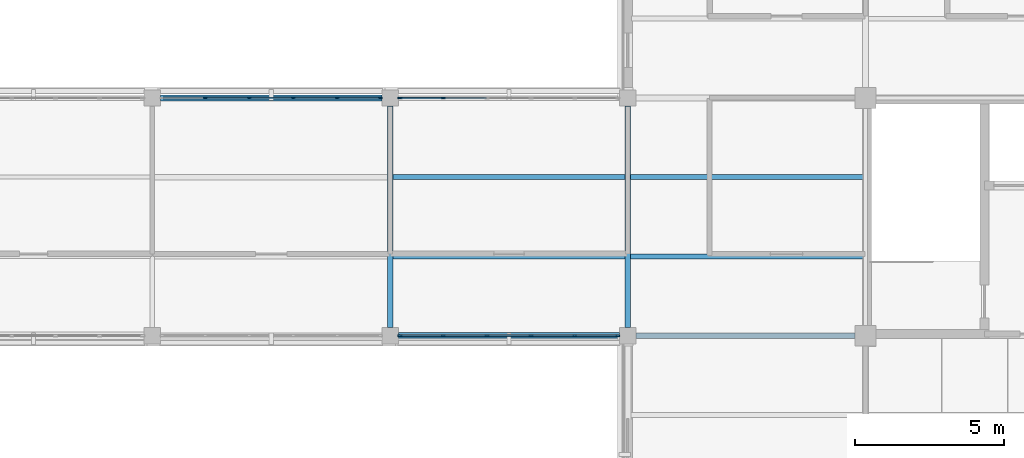
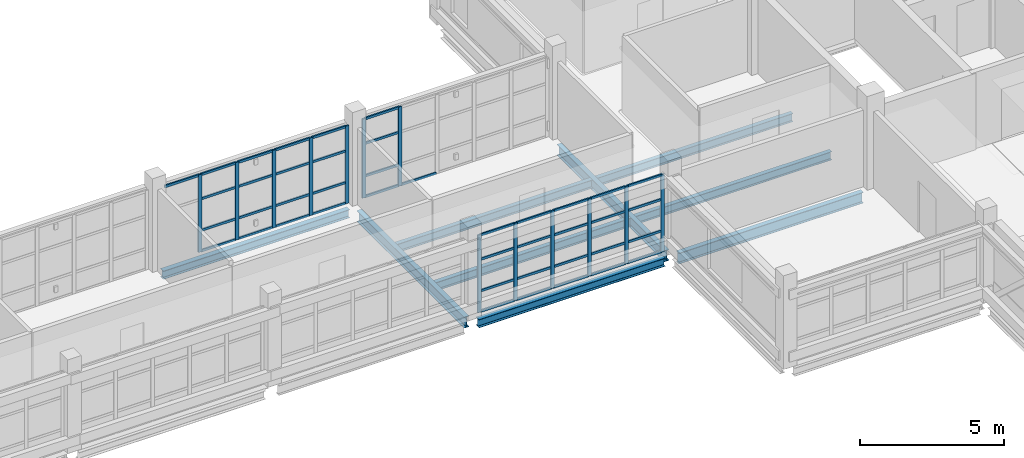
# One storey, part 12 of 92: 55 members, 9 beams, 3 elements without a shape of their own.
"""IFC4 building model written with IfcOpenShell, lengths in metres."""

from ifc_helpers import new_model, si_unit, derived_unit, direction, frame, origin, origin_2d, place, context, subcontext, project, spatial, rectangle, i_section, extrude, material, layer, layer_set, material_profile, profile_set, type_object, element, aggregate, save


model = new_model("IFC4")

# Units and contexts
model_context = context("Model", 3, precision=1e-05, world=origin(), true_north=direction((0.0, 1.0)))
body_context = subcontext(model_context, "Body", "Model", "MODEL_VIEW")
ifc_project = project(units=[si_unit("LENGTHUNIT", "METRE"), si_unit("AREAUNIT", "SQUARE_METRE"), si_unit("VOLUMEUNIT", "CUBIC_METRE"), si_unit("PLANEANGLEUNIT", "RADIAN"), si_unit("MASSUNIT", "GRAM", prefix="KILO"), derived_unit("THERMALTRANSMITTANCEUNIT", [(si_unit("MASSUNIT", "GRAM", prefix="KILO"), 1), (si_unit("TIMEUNIT", "SECOND"), -3), (si_unit("THERMODYNAMICTEMPERATUREUNIT", "KELVIN"), -1)])], contexts=[model_context])

# Site, building, storey
site_placement = place(None, origin())
site = spatial("IfcSite", under=ifc_project, at=site_placement, CompositionType="ELEMENT")
building_placement = place(site_placement, origin())
building = spatial("IfcBuilding", under=site, at=building_placement, Name="Veyamyaing Civic Hall", CompositionType="ELEMENT")
storey_placement = place(building_placement, frame((0.0, 0.0, 17.820068359375)))
storey = spatial("IfcBuildingStorey", under=building, at=storey_placement, Name="L04", CompositionType="ELEMENT", Elevation=17.820068359375)

# Beams
ifc_material_1 = material(Name="Steel ASTM A992", Category="steel")
ifc_material_profile_1 = material_profile(ifc_material_1, i_section(OverallWidth=0.19189453125, OverallDepth=0.462890625, WebThickness=0.010498046875, FlangeThickness=0.017578125, FilletRadius=0.010009765625, at=origin_2d()), Name="W460X89")
ifc_profile_set_1 = profile_set([ifc_material_profile_1], Name="Steel ASTM A992")
beam_type_1 = type_object("IfcBeamType", Name="B-08", PredefinedType="BEAM", material=ifc_profile_set_1)
beam_1_placement = place(storey_placement, frame((48.0, 48.27490234375, -0.466552734375), z_axis=(0.0, 1.0, 0.0), x_axis=(-1.0, 0.0, 0.0)))
element("IfcBeam", 1, at=beam_1_placement, inside=storey, type_object=beam_type_1, Name="Girder B-08 L04 Grid 7 G-H", PredefinedType="BEAM", context=body_context, shape_type="SweptSolid", body=[
    extrude(i_section(OverallWidth=0.19189453125, OverallDepth=0.462890625, WebThickness=0.010498046875, FlangeThickness=0.017578125, FilletRadius=0.010009765625, at=origin_2d()), origin(), (0.0, 0.0, 1.0), 7.4501953125),
])
ifc_material_profile_2 = material_profile(ifc_material_1, i_section(OverallWidth=0.18994140625, OverallDepth=0.45703125, WebThickness=0.009033203125, FlangeThickness=0.014404296875, FilletRadius=0.010009765625, at=origin_2d()), Name="W460X74")
ifc_profile_set_2 = profile_set([ifc_material_profile_2], Name="Steel ASTM A992")
beam_type_2 = type_object("IfcBeamType", Name="B-09", PredefinedType="BEAM", material=ifc_profile_set_2)
beam_2_placement = place(storey_placement, frame((56.27490234375, 48.0, -0.463623046875), z_axis=(1.0, 0.0, 0.0), x_axis=(0.0, 1.0, 0.0)))
element("IfcBeam", 2, at=beam_2_placement, inside=storey, type_object=beam_type_2, Name="Girder B-09 L04 Grid G 8-9", PredefinedType="BEAM", context=body_context, shape_type="SweptSolid", body=[
    extrude(i_section(OverallWidth=0.18994140625, OverallDepth=0.45703125, WebThickness=0.009033203125, FlangeThickness=0.014404296875, FilletRadius=0.010009765625, at=origin_2d()), origin(), (0.0, 0.0, 1.0), 7.375),
])
beam_3_placement = place(storey_placement, frame((56.0, 48.27490234375, -0.463623046875), z_axis=(0.0, 1.0, 0.0), x_axis=(-1.0, 0.0, 0.0)))
element("IfcBeam", 3, at=beam_3_placement, inside=storey, type_object=beam_type_2, Name="Girder B-09 L04 Grid 8 G-H", PredefinedType="BEAM", context=body_context, shape_type="SweptSolid", body=[
    extrude(i_section(OverallWidth=0.18994140625, OverallDepth=0.45703125, WebThickness=0.009033203125, FlangeThickness=0.014404296875, FilletRadius=0.010009765625, at=origin_2d()), origin(), (0.0, 0.0, 1.0), 7.4501953125),
])
ifc_material_profile_3 = material_profile(ifc_material_1, i_section(OverallWidth=0.2041015625, OverallDepth=0.35009765625, WebThickness=0.0078125, FlangeThickness=0.01513671875, FilletRadius=0.010009765625, at=origin_2d()), Name="W360X72")
ifc_profile_set_3 = profile_set([ifc_material_profile_3], Name="Steel ASTM A992")
beam_type_3 = type_object("IfcBeamType", Name="B-11", PredefinedType="SPANDREL", material=ifc_profile_set_3)
for number, where, z_axis, x_axis, name in (
    (4, (48.27490234375, 48.0, -0.41015625), (1.0, 0.0, 0.0), (0.0, 1.0, 0.0), "Girder B-11 L04 Grid G 7-8"),
    (5, (40.27490234375, 56.0, -0.41015625), (1.0, 0.0, 0.0), (0.0, 1.0, 0.0), "Girder B-11 L04 Grid H 6-7"),
):
    element("IfcBeam", number, at=place(storey_placement, frame(where, z_axis=z_axis, x_axis=x_axis)), inside=storey, type_object=beam_type_3, Name=name, PredefinedType="SPANDREL", context=body_context, shape_type="SweptSolid", body=[
        extrude(i_section(OverallWidth=0.2041015625, OverallDepth=0.35009765625, WebThickness=0.0078125, FlangeThickness=0.01513671875, FilletRadius=0.010009765625, at=origin_2d()), origin(), (0.0, 0.0, 1.0), 7.4501953125),
    ])

# Curtain wall, members
ifc_material_2 = material(Name="Anodised aluminium 6063-T6", Category="aluminium")
ifc_layer = layer(ifc_material_2, 0.139892578125, Name="Anodised aluminium 6063-T6")
ifc_layer_set = layer_set([ifc_layer], Name="Anodised aluminium 6063-T6")
curtain_wall_type = type_object("IfcCurtainWallType", Name="CW-04", PredefinedType="NOTDEFINED", material=ifc_layer_set)
curtain_wall_1_placement = place(storey_placement, origin())
curtain_wall_1 = element("IfcCurtainWall", 6, at=curtain_wall_1_placement, inside=storey, type_object=curtain_wall_type, Name="Unitized curtain wall CW-04 L04 N 6.7", PredefinedType="NOTDEFINED")
ifc_material_profile_4 = material_profile(ifc_material_2, rectangle(XDim=0.06005859375, YDim=0.139892578125, at=origin_2d()), Name="ALU-MUL-60X140")
ifc_profile_set_4 = profile_set([ifc_material_profile_4], Name="Anodised aluminium 6063-T6")
member_type_1 = type_object("IfcMemberType", Name="CWM-03", PredefinedType="MULLION", material=ifc_profile_set_4)
member_1_placement = place(storey_placement, frame((41.782958984375, 56.0, 0.0), z_axis=(0.0, 0.0, 1.0), x_axis=(0.0, 1.0, 0.0)))
member_1 = element("IfcMember", 7, at=member_1_placement, type_object=member_type_1, Name="CW-04 mullion 2", PredefinedType="MULLION", context=body_context, shape_type="SweptSolid", body=[
    extrude(rectangle(XDim=0.06005859375, YDim=0.139892578125, at=origin_2d()), origin(), (0.0, 0.0, 1.0), 3.284912109375),
])
member_2_placement = place(storey_placement, frame((43.260986328125, 56.0, 0.0), z_axis=(0.0, 0.0, 1.0), x_axis=(0.0, 1.0, 0.0)))
member_2 = element("IfcMember", 8, at=member_2_placement, type_object=member_type_1, Name="CW-04 mullion 3", PredefinedType="MULLION", context=body_context, shape_type="SweptSolid", body=[
    extrude(rectangle(XDim=0.06005859375, YDim=0.139892578125, at=origin_2d()), origin(), (0.0, 0.0, 1.0), 3.284912109375),
])
member_3_placement = place(storey_placement, frame((44.739013671875, 56.0, 0.0), z_axis=(0.0, 0.0, 1.0), x_axis=(0.0, 1.0, 0.0)))
member_3 = element("IfcMember", 9, at=member_3_placement, type_object=member_type_1, Name="CW-04 mullion 4", PredefinedType="MULLION", context=body_context, shape_type="SweptSolid", body=[
    extrude(rectangle(XDim=0.06005859375, YDim=0.139892578125, at=origin_2d()), origin(), (0.0, 0.0, 1.0), 3.284912109375),
])
member_4_placement = place(storey_placement, frame((46.217041015625, 56.0, 0.0), z_axis=(0.0, 0.0, 1.0), x_axis=(0.0, 1.0, 0.0)))
member_4 = element("IfcMember", 10, at=member_4_placement, type_object=member_type_1, Name="CW-04 mullion 5", PredefinedType="MULLION", context=body_context, shape_type="SweptSolid", body=[
    extrude(rectangle(XDim=0.06005859375, YDim=0.139892578125, at=origin_2d()), origin(), (0.0, 0.0, 1.0), 3.284912109375),
])
member_5_placement = place(storey_placement, frame((47.6650390625, 56.0, 0.0), z_axis=(0.0, 0.0, 1.0), x_axis=(0.0, 1.0, 0.0)))
member_5 = element("IfcMember", 11, at=member_5_placement, type_object=member_type_1, Name="CW-04 mullion 6", PredefinedType="MULLION", context=body_context, shape_type="SweptSolid", body=[
    extrude(rectangle(XDim=0.06005859375, YDim=0.139892578125, at=origin_2d()), origin(), (0.0, 0.0, 1.0), 3.284912109375),
])

curtain_wall_2_placement = place(storey_placement, origin())
curtain_wall_2 = element("IfcCurtainWall", 12, at=curtain_wall_2_placement, inside=storey, type_object=curtain_wall_type, Name="Unitized curtain wall CW-04 L04 S 7.7", PredefinedType="NOTDEFINED")
member_6_placement = place(storey_placement, frame((48.3349609375, 48.0, 0.0), z_axis=(0.0, 0.0, 1.0), x_axis=(0.0, 1.0, 0.0)))
member_6 = element("IfcMember", 13, at=member_6_placement, type_object=member_type_1, Name="CW-04 mullion 1", PredefinedType="MULLION", context=body_context, shape_type="SweptSolid", body=[
    extrude(rectangle(XDim=0.06005859375, YDim=0.139892578125, at=origin_2d()), origin(), (0.0, 0.0, 1.0), 3.284912109375),
])
member_7_placement = place(storey_placement, frame((49.782958984375, 48.0, 0.0), z_axis=(0.0, 0.0, 1.0), x_axis=(0.0, 1.0, 0.0)))
member_7 = element("IfcMember", 14, at=member_7_placement, type_object=member_type_1, Name="CW-04 mullion 2", PredefinedType="MULLION", context=body_context, shape_type="SweptSolid", body=[
    extrude(rectangle(XDim=0.06005859375, YDim=0.139892578125, at=origin_2d()), origin(), (0.0, 0.0, 1.0), 3.284912109375),
])
member_8_placement = place(storey_placement, frame((51.260986328125, 48.0, 0.0), z_axis=(0.0, 0.0, 1.0), x_axis=(0.0, 1.0, 0.0)))
member_8 = element("IfcMember", 15, at=member_8_placement, type_object=member_type_1, Name="CW-04 mullion 3", PredefinedType="MULLION", context=body_context, shape_type="SweptSolid", body=[
    extrude(rectangle(XDim=0.06005859375, YDim=0.139892578125, at=origin_2d()), origin(), (0.0, 0.0, 1.0), 3.284912109375),
])
member_9_placement = place(storey_placement, frame((52.739013671875, 48.0, 0.0), z_axis=(0.0, 0.0, 1.0), x_axis=(0.0, 1.0, 0.0)))
member_9 = element("IfcMember", 16, at=member_9_placement, type_object=member_type_1, Name="CW-04 mullion 4", PredefinedType="MULLION", context=body_context, shape_type="SweptSolid", body=[
    extrude(rectangle(XDim=0.06005859375, YDim=0.139892578125, at=origin_2d()), origin(), (0.0, 0.0, 1.0), 3.284912109375),
])
member_10_placement = place(storey_placement, frame((54.217041015625, 48.0, 0.0), z_axis=(0.0, 0.0, 1.0), x_axis=(0.0, 1.0, 0.0)))
member_10 = element("IfcMember", 17, at=member_10_placement, type_object=member_type_1, Name="CW-04 mullion 5", PredefinedType="MULLION", context=body_context, shape_type="SweptSolid", body=[
    extrude(rectangle(XDim=0.06005859375, YDim=0.139892578125, at=origin_2d()), origin(), (0.0, 0.0, 1.0), 3.284912109375),
])
member_11_placement = place(storey_placement, frame((55.6650390625, 48.0, 0.0), z_axis=(0.0, 0.0, 1.0), x_axis=(0.0, 1.0, 0.0)))
member_11 = element("IfcMember", 18, at=member_11_placement, type_object=member_type_1, Name="CW-04 mullion 6", PredefinedType="MULLION", context=body_context, shape_type="SweptSolid", body=[
    extrude(rectangle(XDim=0.06005859375, YDim=0.139892578125, at=origin_2d()), origin(), (0.0, 0.0, 1.0), 3.284912109375),
])

curtain_wall_3_placement = place(storey_placement, origin())
curtain_wall_3 = element("IfcCurtainWall", 19, at=curtain_wall_3_placement, inside=storey, type_object=curtain_wall_type, Name="Unitized curtain wall CW-04 L04 N 7.7", PredefinedType="NOTDEFINED")
member_12_placement = place(storey_placement, frame((48.3349609375, 56.0, 0.0), z_axis=(0.0, 0.0, 1.0), x_axis=(0.0, 1.0, 0.0)))
member_12 = element("IfcMember", 20, at=member_12_placement, type_object=member_type_1, Name="CW-04 mullion 1", PredefinedType="MULLION", context=body_context, shape_type="SweptSolid", body=[
    extrude(rectangle(XDim=0.06005859375, YDim=0.139892578125, at=origin_2d()), origin(), (0.0, 0.0, 1.0), 3.348876953125),
])
member_13_placement = place(storey_placement, frame((49.782958984375, 56.0, 0.0), z_axis=(0.0, 0.0, 1.0), x_axis=(0.0, 1.0, 0.0)))
member_13 = element("IfcMember", 21, at=member_13_placement, type_object=member_type_1, Name="CW-04 mullion 2", PredefinedType="MULLION", context=body_context, shape_type="SweptSolid", body=[
    extrude(rectangle(XDim=0.06005859375, YDim=0.139892578125, at=origin_2d()), origin(), (0.0, 0.0, 1.0), 3.348876953125),
])

# Member
ifc_material_profile_5 = material_profile(ifc_material_2, rectangle(XDim=0.06005859375, YDim=0.10009765625, at=origin_2d()), Name="ALU-TRN-60X100")
ifc_profile_set_5 = profile_set([ifc_material_profile_5], Name="Anodised aluminium 6063-T6")
member_type_2 = type_object("IfcMemberType", Name="CWT-03", PredefinedType="USERDEFINED", material=ifc_profile_set_5)
member_14_placement = place(storey_placement, frame((40.364990234375, 56.0, 3.2548828125), z_axis=(1.0, 0.0, 0.0), x_axis=(0.0, 1.0, 0.0)))
member_14 = element("IfcMember", 22, at=member_14_placement, type_object=member_type_2, Name="CW-04 transom 1.4", ObjectType="TRANSOM", PredefinedType="USERDEFINED", context=body_context, shape_type="SweptSolid", body=[
    extrude(rectangle(XDim=0.06005859375, YDim=0.10009765625, at=origin_2d()), origin(), (0.0, 0.0, 1.0), 1.387939453125),
])

member_15_placement = place(storey_placement, frame((41.81298828125, 56.0, 0.030029296875), z_axis=(1.0, 0.0, 0.0), x_axis=(0.0, 1.0, 0.0)))
member_15 = element("IfcMember", 23, at=member_15_placement, type_object=member_type_2, Name="CW-04 transom 2.1", ObjectType="TRANSOM", PredefinedType="USERDEFINED", context=body_context, shape_type="SweptSolid", body=[
    extrude(rectangle(XDim=0.06005859375, YDim=0.10009765625, at=origin_2d()), origin(), (0.0, 0.0, 1.0), 1.41796875),
])

member_16_placement = place(storey_placement, frame((41.81298828125, 56.0, 0.89990234375), z_axis=(1.0, 0.0, 0.0), x_axis=(0.0, 1.0, 0.0)))
member_16 = element("IfcMember", 24, at=member_16_placement, type_object=member_type_2, Name="CW-04 transom 2.2", ObjectType="TRANSOM", PredefinedType="USERDEFINED", context=body_context, shape_type="SweptSolid", body=[
    extrude(rectangle(XDim=0.06005859375, YDim=0.10009765625, at=origin_2d()), origin(), (0.0, 0.0, 1.0), 1.41796875),
])

member_17_placement = place(storey_placement, frame((41.81298828125, 56.0, 2.233642578125), z_axis=(1.0, 0.0, 0.0), x_axis=(0.0, 1.0, 0.0)))
member_17 = element("IfcMember", 25, at=member_17_placement, type_object=member_type_2, Name="CW-04 transom 2.3", ObjectType="TRANSOM", PredefinedType="USERDEFINED", context=body_context, shape_type="SweptSolid", body=[
    extrude(rectangle(XDim=0.06005859375, YDim=0.10009765625, at=origin_2d()), origin(), (0.0, 0.0, 1.0), 1.41796875),
])

member_18_placement = place(storey_placement, frame((41.81298828125, 56.0, 3.2548828125), z_axis=(1.0, 0.0, 0.0), x_axis=(0.0, 1.0, 0.0)))
member_18 = element("IfcMember", 26, at=member_18_placement, type_object=member_type_2, Name="CW-04 transom 2.4", ObjectType="TRANSOM", PredefinedType="USERDEFINED", context=body_context, shape_type="SweptSolid", body=[
    extrude(rectangle(XDim=0.06005859375, YDim=0.10009765625, at=origin_2d()), origin(), (0.0, 0.0, 1.0), 1.41796875),
])

member_19_placement = place(storey_placement, frame((43.291015625, 56.0, 0.030029296875), z_axis=(1.0, 0.0, 0.0), x_axis=(0.0, 1.0, 0.0)))
member_19 = element("IfcMember", 27, at=member_19_placement, type_object=member_type_2, Name="CW-04 transom 3.1", ObjectType="TRANSOM", PredefinedType="USERDEFINED", context=body_context, shape_type="SweptSolid", body=[
    extrude(rectangle(XDim=0.06005859375, YDim=0.10009765625, at=origin_2d()), origin(), (0.0, 0.0, 1.0), 1.41796875),
])

member_20_placement = place(storey_placement, frame((43.291015625, 56.0, 0.89990234375), z_axis=(1.0, 0.0, 0.0), x_axis=(0.0, 1.0, 0.0)))
member_20 = element("IfcMember", 28, at=member_20_placement, type_object=member_type_2, Name="CW-04 transom 3.2", ObjectType="TRANSOM", PredefinedType="USERDEFINED", context=body_context, shape_type="SweptSolid", body=[
    extrude(rectangle(XDim=0.06005859375, YDim=0.10009765625, at=origin_2d()), origin(), (0.0, 0.0, 1.0), 1.41796875),
])

member_21_placement = place(storey_placement, frame((43.291015625, 56.0, 2.233642578125), z_axis=(1.0, 0.0, 0.0), x_axis=(0.0, 1.0, 0.0)))
member_21 = element("IfcMember", 29, at=member_21_placement, type_object=member_type_2, Name="CW-04 transom 3.3", ObjectType="TRANSOM", PredefinedType="USERDEFINED", context=body_context, shape_type="SweptSolid", body=[
    extrude(rectangle(XDim=0.06005859375, YDim=0.10009765625, at=origin_2d()), origin(), (0.0, 0.0, 1.0), 1.41796875),
])

member_22_placement = place(storey_placement, frame((43.291015625, 56.0, 3.2548828125), z_axis=(1.0, 0.0, 0.0), x_axis=(0.0, 1.0, 0.0)))
member_22 = element("IfcMember", 30, at=member_22_placement, type_object=member_type_2, Name="CW-04 transom 3.4", ObjectType="TRANSOM", PredefinedType="USERDEFINED", context=body_context, shape_type="SweptSolid", body=[
    extrude(rectangle(XDim=0.06005859375, YDim=0.10009765625, at=origin_2d()), origin(), (0.0, 0.0, 1.0), 1.41796875),
])

member_23_placement = place(storey_placement, frame((44.76904296875, 56.0, 0.030029296875), z_axis=(1.0, 0.0, 0.0), x_axis=(0.0, 1.0, 0.0)))
member_23 = element("IfcMember", 31, at=member_23_placement, type_object=member_type_2, Name="CW-04 transom 4.1", ObjectType="TRANSOM", PredefinedType="USERDEFINED", context=body_context, shape_type="SweptSolid", body=[
    extrude(rectangle(XDim=0.06005859375, YDim=0.10009765625, at=origin_2d()), origin(), (0.0, 0.0, 1.0), 1.41796875),
])

member_24_placement = place(storey_placement, frame((44.76904296875, 56.0, 0.89990234375), z_axis=(1.0, 0.0, 0.0), x_axis=(0.0, 1.0, 0.0)))
member_24 = element("IfcMember", 32, at=member_24_placement, type_object=member_type_2, Name="CW-04 transom 4.2", ObjectType="TRANSOM", PredefinedType="USERDEFINED", context=body_context, shape_type="SweptSolid", body=[
    extrude(rectangle(XDim=0.06005859375, YDim=0.10009765625, at=origin_2d()), origin(), (0.0, 0.0, 1.0), 1.41796875),
])

member_25_placement = place(storey_placement, frame((44.76904296875, 56.0, 2.233642578125), z_axis=(1.0, 0.0, 0.0), x_axis=(0.0, 1.0, 0.0)))
member_25 = element("IfcMember", 33, at=member_25_placement, type_object=member_type_2, Name="CW-04 transom 4.3", ObjectType="TRANSOM", PredefinedType="USERDEFINED", context=body_context, shape_type="SweptSolid", body=[
    extrude(rectangle(XDim=0.06005859375, YDim=0.10009765625, at=origin_2d()), origin(), (0.0, 0.0, 1.0), 1.41796875),
])

member_26_placement = place(storey_placement, frame((44.76904296875, 56.0, 3.2548828125), z_axis=(1.0, 0.0, 0.0), x_axis=(0.0, 1.0, 0.0)))
member_26 = element("IfcMember", 34, at=member_26_placement, type_object=member_type_2, Name="CW-04 transom 4.4", ObjectType="TRANSOM", PredefinedType="USERDEFINED", context=body_context, shape_type="SweptSolid", body=[
    extrude(rectangle(XDim=0.06005859375, YDim=0.10009765625, at=origin_2d()), origin(), (0.0, 0.0, 1.0), 1.41796875),
])

member_27_placement = place(storey_placement, frame((46.2470703125, 56.0, 0.030029296875), z_axis=(1.0, 0.0, 0.0), x_axis=(0.0, 1.0, 0.0)))
member_27 = element("IfcMember", 35, at=member_27_placement, type_object=member_type_2, Name="CW-04 transom 5.1", ObjectType="TRANSOM", PredefinedType="USERDEFINED", context=body_context, shape_type="SweptSolid", body=[
    extrude(rectangle(XDim=0.06005859375, YDim=0.10009765625, at=origin_2d()), origin(), (0.0, 0.0, 1.0), 1.387939453125),
])

member_28_placement = place(storey_placement, frame((46.2470703125, 56.0, 0.89990234375), z_axis=(1.0, 0.0, 0.0), x_axis=(0.0, 1.0, 0.0)))
member_28 = element("IfcMember", 36, at=member_28_placement, type_object=member_type_2, Name="CW-04 transom 5.2", ObjectType="TRANSOM", PredefinedType="USERDEFINED", context=body_context, shape_type="SweptSolid", body=[
    extrude(rectangle(XDim=0.06005859375, YDim=0.10009765625, at=origin_2d()), origin(), (0.0, 0.0, 1.0), 1.387939453125),
])

member_29_placement = place(storey_placement, frame((46.2470703125, 56.0, 2.233642578125), z_axis=(1.0, 0.0, 0.0), x_axis=(0.0, 1.0, 0.0)))
member_29 = element("IfcMember", 37, at=member_29_placement, type_object=member_type_2, Name="CW-04 transom 5.3", ObjectType="TRANSOM", PredefinedType="USERDEFINED", context=body_context, shape_type="SweptSolid", body=[
    extrude(rectangle(XDim=0.06005859375, YDim=0.10009765625, at=origin_2d()), origin(), (0.0, 0.0, 1.0), 1.387939453125),
])

member_30_placement = place(storey_placement, frame((46.2470703125, 56.0, 3.2548828125), z_axis=(1.0, 0.0, 0.0), x_axis=(0.0, 1.0, 0.0)))
member_30 = element("IfcMember", 38, at=member_30_placement, type_object=member_type_2, Name="CW-04 transom 5.4", ObjectType="TRANSOM", PredefinedType="USERDEFINED", context=body_context, shape_type="SweptSolid", body=[
    extrude(rectangle(XDim=0.06005859375, YDim=0.10009765625, at=origin_2d()), origin(), (0.0, 0.0, 1.0), 1.387939453125),
])

aggregate(curtain_wall_1, [member_1, member_2, member_3, member_4, member_5, member_14, member_15, member_16, member_17, member_18, member_19, member_20, member_21, member_22, member_23, member_24, member_25, member_26, member_27, member_28, member_29, member_30])

member_31_placement = place(storey_placement, frame((48.364990234375, 48.0, 0.030029296875), z_axis=(1.0, 0.0, 0.0), x_axis=(0.0, 1.0, 0.0)))
member_31 = element("IfcMember", 39, at=member_31_placement, type_object=member_type_2, Name="CW-04 transom 1.1", ObjectType="TRANSOM", PredefinedType="USERDEFINED", context=body_context, shape_type="SweptSolid", body=[
    extrude(rectangle(XDim=0.06005859375, YDim=0.10009765625, at=origin_2d()), origin(), (0.0, 0.0, 1.0), 1.387939453125),
])

member_32_placement = place(storey_placement, frame((48.364990234375, 48.0, 0.89990234375), z_axis=(1.0, 0.0, 0.0), x_axis=(0.0, 1.0, 0.0)))
member_32 = element("IfcMember", 40, at=member_32_placement, type_object=member_type_2, Name="CW-04 transom 1.2", ObjectType="TRANSOM", PredefinedType="USERDEFINED", context=body_context, shape_type="SweptSolid", body=[
    extrude(rectangle(XDim=0.06005859375, YDim=0.10009765625, at=origin_2d()), origin(), (0.0, 0.0, 1.0), 1.387939453125),
])

member_33_placement = place(storey_placement, frame((48.364990234375, 48.0, 2.233642578125), z_axis=(1.0, 0.0, 0.0), x_axis=(0.0, 1.0, 0.0)))
member_33 = element("IfcMember", 41, at=member_33_placement, type_object=member_type_2, Name="CW-04 transom 1.3", ObjectType="TRANSOM", PredefinedType="USERDEFINED", context=body_context, shape_type="SweptSolid", body=[
    extrude(rectangle(XDim=0.06005859375, YDim=0.10009765625, at=origin_2d()), origin(), (0.0, 0.0, 1.0), 1.387939453125),
])

member_34_placement = place(storey_placement, frame((48.364990234375, 48.0, 3.2548828125), z_axis=(1.0, 0.0, 0.0), x_axis=(0.0, 1.0, 0.0)))
member_34 = element("IfcMember", 42, at=member_34_placement, type_object=member_type_2, Name="CW-04 transom 1.4", ObjectType="TRANSOM", PredefinedType="USERDEFINED", context=body_context, shape_type="SweptSolid", body=[
    extrude(rectangle(XDim=0.06005859375, YDim=0.10009765625, at=origin_2d()), origin(), (0.0, 0.0, 1.0), 1.387939453125),
])

member_35_placement = place(storey_placement, frame((49.81298828125, 48.0, 0.030029296875), z_axis=(1.0, 0.0, 0.0), x_axis=(0.0, 1.0, 0.0)))
member_35 = element("IfcMember", 43, at=member_35_placement, type_object=member_type_2, Name="CW-04 transom 2.1", ObjectType="TRANSOM", PredefinedType="USERDEFINED", context=body_context, shape_type="SweptSolid", body=[
    extrude(rectangle(XDim=0.06005859375, YDim=0.10009765625, at=origin_2d()), origin(), (0.0, 0.0, 1.0), 1.41796875),
])

member_36_placement = place(storey_placement, frame((49.81298828125, 48.0, 0.89990234375), z_axis=(1.0, 0.0, 0.0), x_axis=(0.0, 1.0, 0.0)))
member_36 = element("IfcMember", 44, at=member_36_placement, type_object=member_type_2, Name="CW-04 transom 2.2", ObjectType="TRANSOM", PredefinedType="USERDEFINED", context=body_context, shape_type="SweptSolid", body=[
    extrude(rectangle(XDim=0.06005859375, YDim=0.10009765625, at=origin_2d()), origin(), (0.0, 0.0, 1.0), 1.41796875),
])

member_37_placement = place(storey_placement, frame((49.81298828125, 48.0, 2.233642578125), z_axis=(1.0, 0.0, 0.0), x_axis=(0.0, 1.0, 0.0)))
member_37 = element("IfcMember", 45, at=member_37_placement, type_object=member_type_2, Name="CW-04 transom 2.3", ObjectType="TRANSOM", PredefinedType="USERDEFINED", context=body_context, shape_type="SweptSolid", body=[
    extrude(rectangle(XDim=0.06005859375, YDim=0.10009765625, at=origin_2d()), origin(), (0.0, 0.0, 1.0), 1.41796875),
])

member_38_placement = place(storey_placement, frame((49.81298828125, 48.0, 3.2548828125), z_axis=(1.0, 0.0, 0.0), x_axis=(0.0, 1.0, 0.0)))
member_38 = element("IfcMember", 46, at=member_38_placement, type_object=member_type_2, Name="CW-04 transom 2.4", ObjectType="TRANSOM", PredefinedType="USERDEFINED", context=body_context, shape_type="SweptSolid", body=[
    extrude(rectangle(XDim=0.06005859375, YDim=0.10009765625, at=origin_2d()), origin(), (0.0, 0.0, 1.0), 1.41796875),
])

member_39_placement = place(storey_placement, frame((51.291015625, 48.0, 0.030029296875), z_axis=(1.0, 0.0, 0.0), x_axis=(0.0, 1.0, 0.0)))
member_39 = element("IfcMember", 47, at=member_39_placement, type_object=member_type_2, Name="CW-04 transom 3.1", ObjectType="TRANSOM", PredefinedType="USERDEFINED", context=body_context, shape_type="SweptSolid", body=[
    extrude(rectangle(XDim=0.06005859375, YDim=0.10009765625, at=origin_2d()), origin(), (0.0, 0.0, 1.0), 1.41796875),
])

member_40_placement = place(storey_placement, frame((51.291015625, 48.0, 0.89990234375), z_axis=(1.0, 0.0, 0.0), x_axis=(0.0, 1.0, 0.0)))
member_40 = element("IfcMember", 48, at=member_40_placement, type_object=member_type_2, Name="CW-04 transom 3.2", ObjectType="TRANSOM", PredefinedType="USERDEFINED", context=body_context, shape_type="SweptSolid", body=[
    extrude(rectangle(XDim=0.06005859375, YDim=0.10009765625, at=origin_2d()), origin(), (0.0, 0.0, 1.0), 1.41796875),
])

member_41_placement = place(storey_placement, frame((51.291015625, 48.0, 2.233642578125), z_axis=(1.0, 0.0, 0.0), x_axis=(0.0, 1.0, 0.0)))
member_41 = element("IfcMember", 49, at=member_41_placement, type_object=member_type_2, Name="CW-04 transom 3.3", ObjectType="TRANSOM", PredefinedType="USERDEFINED", context=body_context, shape_type="SweptSolid", body=[
    extrude(rectangle(XDim=0.06005859375, YDim=0.10009765625, at=origin_2d()), origin(), (0.0, 0.0, 1.0), 1.41796875),
])

member_42_placement = place(storey_placement, frame((51.291015625, 48.0, 3.2548828125), z_axis=(1.0, 0.0, 0.0), x_axis=(0.0, 1.0, 0.0)))
member_42 = element("IfcMember", 50, at=member_42_placement, type_object=member_type_2, Name="CW-04 transom 3.4", ObjectType="TRANSOM", PredefinedType="USERDEFINED", context=body_context, shape_type="SweptSolid", body=[
    extrude(rectangle(XDim=0.06005859375, YDim=0.10009765625, at=origin_2d()), origin(), (0.0, 0.0, 1.0), 1.41796875),
])

member_43_placement = place(storey_placement, frame((52.76904296875, 48.0, 0.030029296875), z_axis=(1.0, 0.0, 0.0), x_axis=(0.0, 1.0, 0.0)))
member_43 = element("IfcMember", 51, at=member_43_placement, type_object=member_type_2, Name="CW-04 transom 4.1", ObjectType="TRANSOM", PredefinedType="USERDEFINED", context=body_context, shape_type="SweptSolid", body=[
    extrude(rectangle(XDim=0.06005859375, YDim=0.10009765625, at=origin_2d()), origin(), (0.0, 0.0, 1.0), 1.41796875),
])

member_44_placement = place(storey_placement, frame((52.76904296875, 48.0, 0.89990234375), z_axis=(1.0, 0.0, 0.0), x_axis=(0.0, 1.0, 0.0)))
member_44 = element("IfcMember", 52, at=member_44_placement, type_object=member_type_2, Name="CW-04 transom 4.2", ObjectType="TRANSOM", PredefinedType="USERDEFINED", context=body_context, shape_type="SweptSolid", body=[
    extrude(rectangle(XDim=0.06005859375, YDim=0.10009765625, at=origin_2d()), origin(), (0.0, 0.0, 1.0), 1.41796875),
])

member_45_placement = place(storey_placement, frame((52.76904296875, 48.0, 2.233642578125), z_axis=(1.0, 0.0, 0.0), x_axis=(0.0, 1.0, 0.0)))
member_45 = element("IfcMember", 53, at=member_45_placement, type_object=member_type_2, Name="CW-04 transom 4.3", ObjectType="TRANSOM", PredefinedType="USERDEFINED", context=body_context, shape_type="SweptSolid", body=[
    extrude(rectangle(XDim=0.06005859375, YDim=0.10009765625, at=origin_2d()), origin(), (0.0, 0.0, 1.0), 1.41796875),
])

member_46_placement = place(storey_placement, frame((52.76904296875, 48.0, 3.2548828125), z_axis=(1.0, 0.0, 0.0), x_axis=(0.0, 1.0, 0.0)))
member_46 = element("IfcMember", 54, at=member_46_placement, type_object=member_type_2, Name="CW-04 transom 4.4", ObjectType="TRANSOM", PredefinedType="USERDEFINED", context=body_context, shape_type="SweptSolid", body=[
    extrude(rectangle(XDim=0.06005859375, YDim=0.10009765625, at=origin_2d()), origin(), (0.0, 0.0, 1.0), 1.41796875),
])

member_47_placement = place(storey_placement, frame((54.2470703125, 48.0, 0.030029296875), z_axis=(1.0, 0.0, 0.0), x_axis=(0.0, 1.0, 0.0)))
member_47 = element("IfcMember", 55, at=member_47_placement, type_object=member_type_2, Name="CW-04 transom 5.1", ObjectType="TRANSOM", PredefinedType="USERDEFINED", context=body_context, shape_type="SweptSolid", body=[
    extrude(rectangle(XDim=0.06005859375, YDim=0.10009765625, at=origin_2d()), origin(), (0.0, 0.0, 1.0), 1.387939453125),
])

member_48_placement = place(storey_placement, frame((54.2470703125, 48.0, 0.89990234375), z_axis=(1.0, 0.0, 0.0), x_axis=(0.0, 1.0, 0.0)))
member_48 = element("IfcMember", 56, at=member_48_placement, type_object=member_type_2, Name="CW-04 transom 5.2", ObjectType="TRANSOM", PredefinedType="USERDEFINED", context=body_context, shape_type="SweptSolid", body=[
    extrude(rectangle(XDim=0.06005859375, YDim=0.10009765625, at=origin_2d()), origin(), (0.0, 0.0, 1.0), 1.387939453125),
])

member_49_placement = place(storey_placement, frame((54.2470703125, 48.0, 2.233642578125), z_axis=(1.0, 0.0, 0.0), x_axis=(0.0, 1.0, 0.0)))
member_49 = element("IfcMember", 57, at=member_49_placement, type_object=member_type_2, Name="CW-04 transom 5.3", ObjectType="TRANSOM", PredefinedType="USERDEFINED", context=body_context, shape_type="SweptSolid", body=[
    extrude(rectangle(XDim=0.06005859375, YDim=0.10009765625, at=origin_2d()), origin(), (0.0, 0.0, 1.0), 1.387939453125),
])

member_50_placement = place(storey_placement, frame((54.2470703125, 48.0, 3.2548828125), z_axis=(1.0, 0.0, 0.0), x_axis=(0.0, 1.0, 0.0)))
member_50 = element("IfcMember", 58, at=member_50_placement, type_object=member_type_2, Name="CW-04 transom 5.4", ObjectType="TRANSOM", PredefinedType="USERDEFINED", context=body_context, shape_type="SweptSolid", body=[
    extrude(rectangle(XDim=0.06005859375, YDim=0.10009765625, at=origin_2d()), origin(), (0.0, 0.0, 1.0), 1.387939453125),
])

aggregate(curtain_wall_2, [member_6, member_7, member_8, member_9, member_10, member_11, member_31, member_32, member_33, member_34, member_35, member_36, member_37, member_38, member_39, member_40, member_41, member_42, member_43, member_44, member_45, member_46, member_47, member_48, member_49, member_50])

member_51_placement = place(storey_placement, frame((48.364990234375, 56.0, 0.030029296875), z_axis=(1.0, 0.0, 0.0), x_axis=(0.0, 1.0, 0.0)))
member_51 = element("IfcMember", 59, at=member_51_placement, type_object=member_type_2, Name="CW-04 transom 1.1", ObjectType="TRANSOM", PredefinedType="USERDEFINED", context=body_context, shape_type="SweptSolid", body=[
    extrude(rectangle(XDim=0.06005859375, YDim=0.10009765625, at=origin_2d()), origin(), (0.0, 0.0, 1.0), 1.387939453125),
])

member_52_placement = place(storey_placement, frame((48.364990234375, 56.0, 0.89990234375), z_axis=(1.0, 0.0, 0.0), x_axis=(0.0, 1.0, 0.0)))
member_52 = element("IfcMember", 60, at=member_52_placement, type_object=member_type_2, Name="CW-04 transom 1.2", ObjectType="TRANSOM", PredefinedType="USERDEFINED", context=body_context, shape_type="SweptSolid", body=[
    extrude(rectangle(XDim=0.06005859375, YDim=0.10009765625, at=origin_2d()), origin(), (0.0, 0.0, 1.0), 1.387939453125),
])

member_53_placement = place(storey_placement, frame((48.364990234375, 56.0, 2.27734375), z_axis=(1.0, 0.0, 0.0), x_axis=(0.0, 1.0, 0.0)))
member_53 = element("IfcMember", 61, at=member_53_placement, type_object=member_type_2, Name="CW-04 transom 1.3", ObjectType="TRANSOM", PredefinedType="USERDEFINED", context=body_context, shape_type="SweptSolid", body=[
    extrude(rectangle(XDim=0.06005859375, YDim=0.10009765625, at=origin_2d()), origin(), (0.0, 0.0, 1.0), 1.387939453125),
])

member_54_placement = place(storey_placement, frame((48.364990234375, 56.0, 3.31884765625), z_axis=(1.0, 0.0, 0.0), x_axis=(0.0, 1.0, 0.0)))
member_54 = element("IfcMember", 62, at=member_54_placement, type_object=member_type_2, Name="CW-04 transom 1.4", ObjectType="TRANSOM", PredefinedType="USERDEFINED", context=body_context, shape_type="SweptSolid", body=[
    extrude(rectangle(XDim=0.06005859375, YDim=0.10009765625, at=origin_2d()), origin(), (0.0, 0.0, 1.0), 1.387939453125),
])

member_55_placement = place(storey_placement, frame((49.81298828125, 56.0, 0.030029296875), z_axis=(1.0, 0.0, 0.0), x_axis=(0.0, 1.0, 0.0)))
member_55 = element("IfcMember", 63, at=member_55_placement, type_object=member_type_2, Name="CW-04 transom 2.1", ObjectType="TRANSOM", PredefinedType="USERDEFINED", context=body_context, shape_type="SweptSolid", body=[
    extrude(rectangle(XDim=0.06005859375, YDim=0.10009765625, at=origin_2d()), origin(), (0.0, 0.0, 1.0), 1.41796875),
])

aggregate(curtain_wall_3, [member_12, member_13, member_51, member_52, member_53, member_54, member_55])

# Beams
ifc_material_profile_6 = material_profile(ifc_material_1, i_section(OverallWidth=0.172119140625, OverallDepth=0.35791015625, WebThickness=0.0078125, FlangeThickness=0.01318359375, FilletRadius=0.010009765625, at=origin_2d()), Name="W360X57")
ifc_profile_set_6 = profile_set([ifc_material_profile_6], Name="Steel ASTM A992")
beam_type_4 = type_object("IfcBeamType", Name="J-02", PredefinedType="JOIST", material=ifc_profile_set_6)
for number, where, z_axis, x_axis, name in (
    (64, (48.093994140625, 50.666748046875, -0.4140625), (1.0, 0.0, 0.0), (0.0, 1.0, 0.0), "Composite floor joist J-02 L04 7.7.1"),
    (65, (48.093994140625, 53.333251953125, -0.4140625), (1.0, 0.0, 0.0), (0.0, 1.0, 0.0), "Composite floor joist J-02 L04 7.7.2"),
):
    element("IfcBeam", number, at=place(storey_placement, frame(where, z_axis=z_axis, x_axis=x_axis)), inside=storey, type_object=beam_type_4, Name=name, PredefinedType="JOIST", context=body_context, shape_type="SweptSolid", body=[
        extrude(i_section(OverallWidth=0.172119140625, OverallDepth=0.35791015625, WebThickness=0.0078125, FlangeThickness=0.01318359375, FilletRadius=0.010009765625, at=origin_2d()), origin(), (0.0, 0.0, 1.0), 7.81298828125),
    ])
ifc_material_profile_7 = material_profile(ifc_material_1, i_section(OverallWidth=0.1708984375, OverallDepth=0.35205078125, WebThickness=0.0068359375, FlangeThickness=0.009765625, FilletRadius=0.010009765625, at=origin_2d()), Name="W360X44")
ifc_profile_set_7 = profile_set([ifc_material_profile_7], Name="Steel ASTM A992")
beam_type_5 = type_object("IfcBeamType", Name="J-03", PredefinedType="JOIST", material=ifc_profile_set_7)
for number, where, z_axis, x_axis, name in (
    (66, (56.093017578125, 50.666748046875, -0.4111328125), (1.0, 0.0, 0.0), (0.0, 1.0, 0.0), "Composite floor joist J-03 L04 8.7.1"),
    (67, (56.093017578125, 53.333251953125, -0.4111328125), (1.0, 0.0, 0.0), (0.0, 1.0, 0.0), "Composite floor joist J-03 L04 8.7.2"),
):
    element("IfcBeam", number, at=place(storey_placement, frame(where, z_axis=z_axis, x_axis=x_axis)), inside=storey, type_object=beam_type_5, Name=name, PredefinedType="JOIST", context=body_context, shape_type="SweptSolid", body=[
        extrude(i_section(OverallWidth=0.1708984375, OverallDepth=0.35205078125, WebThickness=0.0068359375, FlangeThickness=0.009765625, FilletRadius=0.010009765625, at=origin_2d()), origin(), (0.0, 0.0, 1.0), 7.8359375),
    ])

save(model, "model.ifc")
